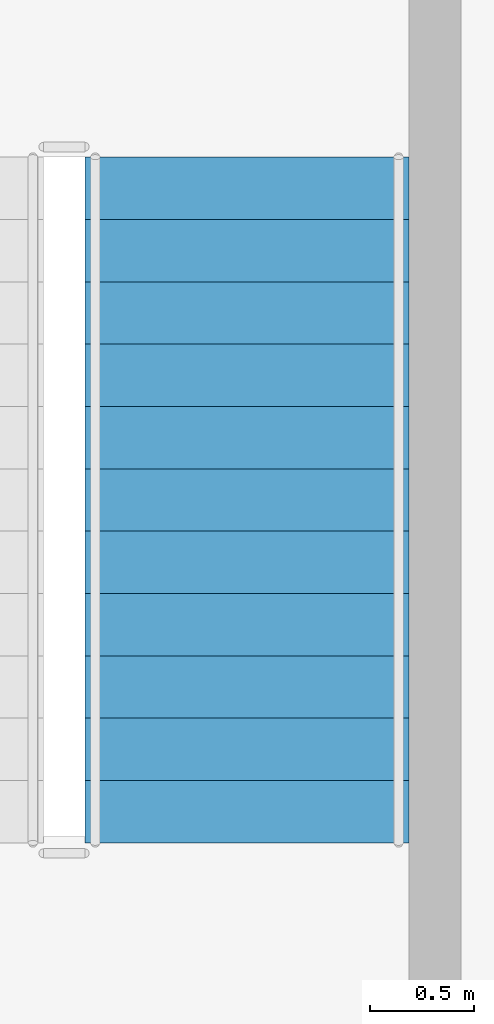
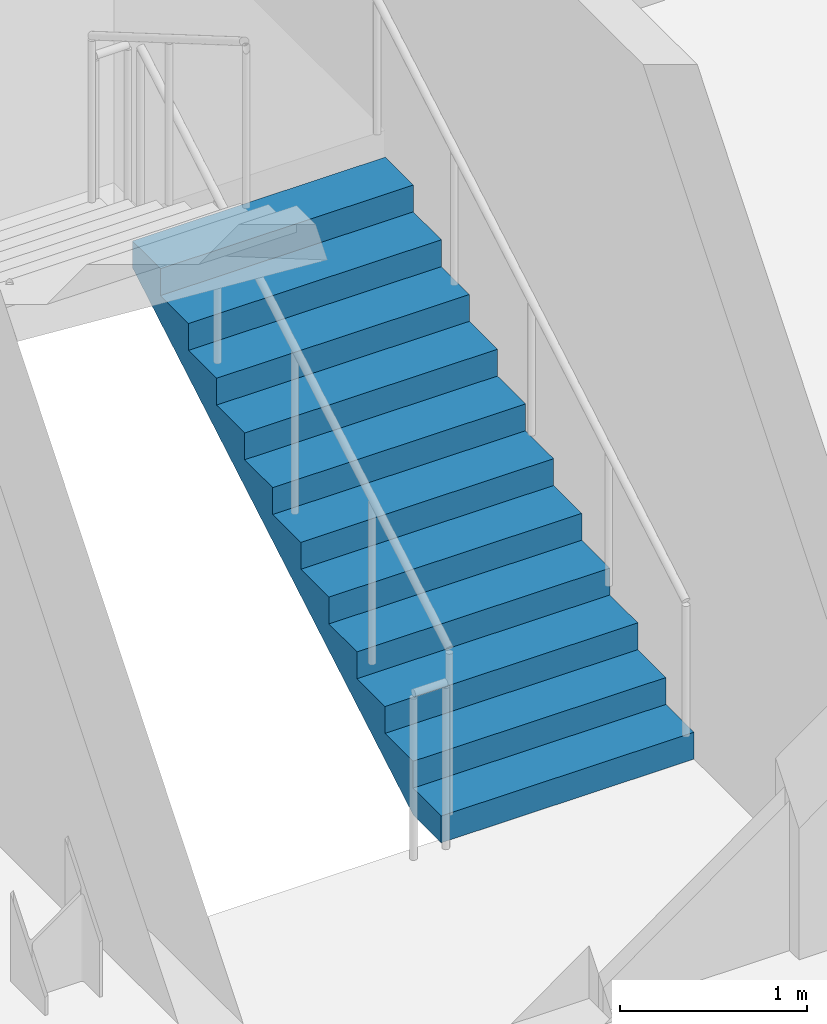
# One storey, part 14 of 17: 1 stair flight, 1 element without a shape of its own.
"""IFC4 building model written with IfcOpenShell, lengths in metres."""

import ifcopenshell
import ifcopenshell.guid

model = None  # the IFC model being written
_history = None  # IfcOwnerHistory: only IFC2X3 demands one
_inside = {}  # id of a spatial element -> (the spatial element, [elements in it])
_under = {}  # id of a project, library or spatial element -> (it, [spatial elements below it])
_declared = {}  # id of a project -> (the project, [libraries it declares])
_typed = {}  # id of a type object -> (the type object, [elements of that type])
_made_of = {}  # id of a material, layer set ... -> (it, [elements and type objects made of it])


def new_model(schema):
    """Start an empty IFC model of exactly this schema.

    Asked for "IFC4X3", IfcOpenShell would pick the latest addendum, in which some entities
    have other attributes; the version numbers below select the first issue.
    IFC2X3 requires an IfcOwnerHistory on every rooted entity: one is made here for all.
    """
    global model, _history
    if schema == "IFC4X3":
        model = ifcopenshell.file(schema_version=(4, 3, 0, 0))
    else:
        model = ifcopenshell.file(schema=schema)
    _inside.clear()
    _under.clear()
    _declared.clear()
    _typed.clear()
    _made_of.clear()
    _history = None
    if model.schema == "IFC2X3":
        org = make("IfcOrganization", Name="unknown")
        user = make(
            "IfcPersonAndOrganization",
            ThePerson=make("IfcPerson", FamilyName="unknown"),
            TheOrganization=org,
        )
        app = make(
            "IfcApplication",
            ApplicationDeveloper=org,
            Version="unknown",
            ApplicationFullName="unknown",
            ApplicationIdentifier="unknown",
        )
        _history = make(
            "IfcOwnerHistory",
            OwningUser=user,
            OwningApplication=app,
            ChangeAction="ADDED",
            CreationDate=0,
        )
    return model


def make(cls, **values):
    """One entity of the class cls with the attributes given. An attribute that is None is left unset."""
    return model.create_entity(
        cls, **{name: value for name, value in values.items() if value is not None}
    )


def rooted(cls, **values):
    """An entity with a GlobalId (a new one), such as an element, a storey or a relation."""
    return make(cls, GlobalId=ifcopenshell.guid.new(), OwnerHistory=_history, **values)


def si_unit(unit_type, name, prefix=None):
    """IfcSIUnit, for example si_unit("LENGTHUNIT", "METRE", prefix="MILLI")."""
    return make("IfcSIUnit", UnitType=unit_type, Prefix=prefix, Name=name)


def assignment(units):
    """IfcUnitAssignment: the units of a project."""
    return None if units is None else make("IfcUnitAssignment", Units=units)


def point(xyz):
    """IfcCartesianPoint."""
    return None if xyz is None else make("IfcCartesianPoint", Coordinates=xyz)


def direction(xyz):
    """IfcDirection."""
    return None if xyz is None else make("IfcDirection", DirectionRatios=xyz)


def frame(location, z_axis=None, x_axis=None):
    """IfcAxis2Placement3D, a coordinate frame: its origin and axes. An axis left out is left unset."""
    return make(
        "IfcAxis2Placement3D",
        Location=point(location),
        Axis=direction(z_axis),
        RefDirection=direction(x_axis),
    )


def origin():
    """The frame at (0, 0, 0) with its axes left unset."""
    return frame((0.0, 0.0, 0.0))


def place(relative_to, where):
    """IfcLocalPlacement: puts the frame where relative to a parent placement (None: the world)."""
    return make(
        "IfcLocalPlacement", PlacementRelTo=relative_to, RelativePlacement=where
    )


def context(
    kind, dimensions, precision=None, world=None, true_north=None, identifier=None
):
    """IfcGeometricRepresentationContext, for example the 3D "Model" context."""
    return make(
        "IfcGeometricRepresentationContext",
        ContextIdentifier=identifier,
        ContextType=kind,
        CoordinateSpaceDimension=dimensions,
        Precision=precision,
        WorldCoordinateSystem=world,
        TrueNorth=true_north,
    )


def subcontext(parent, identifier, kind, view, scale=None):
    """IfcGeometricRepresentationSubContext, for example "Body" below "Model"."""
    return make(
        "IfcGeometricRepresentationSubContext",
        ContextIdentifier=identifier,
        ContextType=kind,
        ParentContext=parent,
        TargetScale=scale,
        TargetView=view,
    )


def project(units=None, contexts=None):
    """IfcProject with its units and contexts."""
    return rooted(
        "IfcProject",
        Name="project",
        RepresentationContexts=contexts,
        UnitsInContext=assignment(units),
    )


def spatial(cls, under=None, at=None, **own):
    """A site, building, storey or space (cls), placed at a placement, below another one or the project."""
    s = rooted(cls, ObjectPlacement=at, **own)
    if under is not None:
        _under.setdefault(under.id(), (under, []))[1].append(s)
    return s


def polyline(points):
    """IfcPolyline through the points."""
    return make("IfcPolyline", Points=[point(p) for p in points])


def outline(outer, holes=None, kind="AREA"):
    """IfcArbitraryClosedProfileDef: a profile drawn as a closed curve; with holes, ...WithVoids."""
    if holes is None:
        return make("IfcArbitraryClosedProfileDef", ProfileType=kind, OuterCurve=outer)
    return make(
        "IfcArbitraryProfileDefWithVoids",
        ProfileType=kind,
        OuterCurve=outer,
        InnerCurves=holes,
    )


def extrude(swept, where, along, depth):
    """IfcExtrudedAreaSolid: the profile swept, set in the frame where, extruded along a direction by depth."""
    return make(
        "IfcExtrudedAreaSolid",
        SweptArea=swept,
        Position=where,
        ExtrudedDirection=direction(along),
        Depth=depth,
    )


def shape(context_of_items, identifier, shape_type, items):
    """IfcShapeRepresentation: the items that make up one representation, for example the "Body"."""
    return make(
        "IfcShapeRepresentation",
        ContextOfItems=context_of_items,
        RepresentationIdentifier=identifier,
        RepresentationType=shape_type,
        Items=items,
    )


def material(Name=None, Category=None):
    """IfcMaterial."""
    return make("IfcMaterial", Name=Name, Category=Category)


def made_of(thing, what):
    """Note that an element or type object is made of a material, layer set ...; save() writes the relation."""
    if what is not None:
        _made_of.setdefault(what.id(), (what, []))[1].append(thing)
    return thing


def type_object(cls, material=None, **own):
    """A type object (cls), such as IfcWallType, which elements share."""
    return made_of(rooted(cls, **own), material)


def element(
    cls,
    number,
    at=None,
    inside=None,
    cuts=None,
    type_object=None,
    material=None,
    context=None,
    identifier="Body",
    shape_type=None,
    held_by="IfcProductDefinitionShape",
    body=None,
    shapes=None,
    **own,
):
    """One element of the class cls, such as IfcWall. Its Tag is "e" and its number.

    at: its placement. inside: the storey or other place that contains it. cuts: it is an
    opening in that element (IfcRelVoidsElement). A single representation is given by context,
    identifier, shape_type and body (its items); several are given by shapes. held_by: the class
    of the entity that holds the representations. save() writes the other relations.
    """
    e = rooted(cls, Tag="e%d" % number, ObjectPlacement=at, **own)
    if body is not None:
        shapes = [shape(context, identifier, shape_type, body)]
    if shapes is not None:
        e.Representation = make(held_by, Representations=shapes)
    if inside is not None:
        _inside.setdefault(inside.id(), (inside, []))[1].append(e)
    if cuts is not None:
        rooted(
            "IfcRelVoidsElement", RelatingBuildingElement=cuts, RelatedOpeningElement=e
        )
    if type_object is not None:
        _typed.setdefault(type_object.id(), (type_object, []))[1].append(e)
    return made_of(e, material)


def aggregate(whole, parts):
    """IfcRelAggregates: a whole, such as a stair, and the parts it consists of."""
    return rooted("IfcRelAggregates", RelatingObject=whole, RelatedObjects=parts)


def save(model, path):
    """Write the relations noted so far, then the file.

    IfcRelAggregates (storeys below a building ...), IfcRelContainedInSpatialStructure (elements
    in a storey), IfcRelDefinesByType, IfcRelAssociatesMaterial and IfcRelDeclares: one each for
    every whole, place, type object, material and project.
    """
    for whole, parts in _under.values():
        aggregate(whole, parts)
    for where, things in _inside.values():
        rooted(
            "IfcRelContainedInSpatialStructure",
            RelatedElements=things,
            RelatingStructure=where,
        )
    for kind, things in _typed.values():
        rooted("IfcRelDefinesByType", RelatedObjects=things, RelatingType=kind)
    for what, things in _made_of.values():
        rooted("IfcRelAssociatesMaterial", RelatedObjects=things, RelatingMaterial=what)
    for by, libraries in _declared.values():
        rooted("IfcRelDeclares", RelatingContext=by, RelatedDefinitions=libraries)
    model.write(path)


model = new_model("IFC4")

# Units and contexts
model_context = context("Model", 3, precision=1e-05, world=origin(), true_north=direction((0.0, 1.0)))
body_context = subcontext(model_context, "Body", "Model", "MODEL_VIEW")
ifc_project = project(units=[si_unit("LENGTHUNIT", "METRE"), si_unit("AREAUNIT", "SQUARE_METRE"), si_unit("VOLUMEUNIT", "CUBIC_METRE"), si_unit("PLANEANGLEUNIT", "RADIAN"), si_unit("MASSUNIT", "GRAM", prefix="KILO")], contexts=[model_context])

# Site, building, storey
site_placement = place(None, origin())
site = spatial("IfcSite", under=ifc_project, at=site_placement, CompositionType="ELEMENT")
building_placement = place(site_placement, origin())
building = spatial("IfcBuilding", under=site, at=building_placement, Name="Quillay Park Conservatory", CompositionType="ELEMENT")
storey_placement = place(building_placement, frame((0.0, 0.0, 51.89990234375)))
storey = spatial("IfcBuildingStorey", under=building, at=storey_placement, Name="L12", CompositionType="ELEMENT", Elevation=51.89990234375)

# Stair, stair flight
ifc_material_1 = material(Name="Concrete C35/45 (NCh170 Concrete C35/45)", Category="concrete")
stair_type = type_object("IfcStairType", Name="ENCLOSED DOG LEG STAIR 4200", PredefinedType="HALF_TURN_STAIR", material=ifc_material_1)
stair_placement = place(storey_placement, origin())
stair = element("IfcStair", 1, at=stair_placement, inside=storey, type_object=stair_type, Name="L12 Tower Protected Exit Stair 1", PredefinedType="HALF_TURN_STAIR")
ifc_material_2 = material(Name="Concrete C35/45 (NCh170 Concrete C35/45)", Category="concrete")
stair_flight_type = type_object("IfcStairFlightType", Name="STRAIGHT STAIR FLIGHT 4200", PredefinedType="STRAIGHT", material=ifc_material_2)
stair_flight_placement = place(storey_placement, frame((11.090087890625, 92.550048828125, 0.0), z_axis=(0.0, 0.0, 1.0), x_axis=(0.0, 1.0, 0.0)))
stair_flight = element("IfcStairFlight", 2, at=stair_flight_placement, type_object=stair_flight_type, Name="ST-T1 flight 1", NumberOfRisers=12, NumberOfTreads=11, PredefinedType="STRAIGHT", RiserHeight=0.175, TreadLength=0.3, context=body_context, shape_type="SweptSolid", body=[
    extrude(outline(polyline([(0.0, 0.0), (0.0, 0.175048828125), (0.300048828125, 0.175048828125), (0.300048828125, 0.35009765625), (0.60009765625, 0.35009765625), (0.60009765625, 0.52490234375), (0.89990234375, 0.52490234375), (0.89990234375, 0.699951171875), (1.199951171875, 0.699951171875), (1.199951171875, 0.875), (1.5, 0.875), (1.5, 1.050048828125), (1.800048828125, 1.050048828125), (1.800048828125, 1.22509765625), (2.10009765625, 1.22509765625), (2.10009765625, 1.39990234375), (2.39990234375, 1.39990234375), (2.39990234375, 1.574951171875), (2.699951171875, 1.574951171875), (2.699951171875, 1.75), (3.0, 1.75), (3.0, 1.925048828125), (3.300048828125, 1.925048828125), (3.300048828125, 2.10009765625), (3.300048828125, 1.75146484375), (0.297607421875, 0.0), (0.0, 0.0)])), frame((0.0, 0.780029296875, 0.0), z_axis=(0.0, -1.0, 0.0), x_axis=(1.0, 0.0, 0.0)), (0.0, 0.0, 1.0), 1.56005859375),
])
aggregate(stair, [stair_flight])

save(model, "model.ifc")
